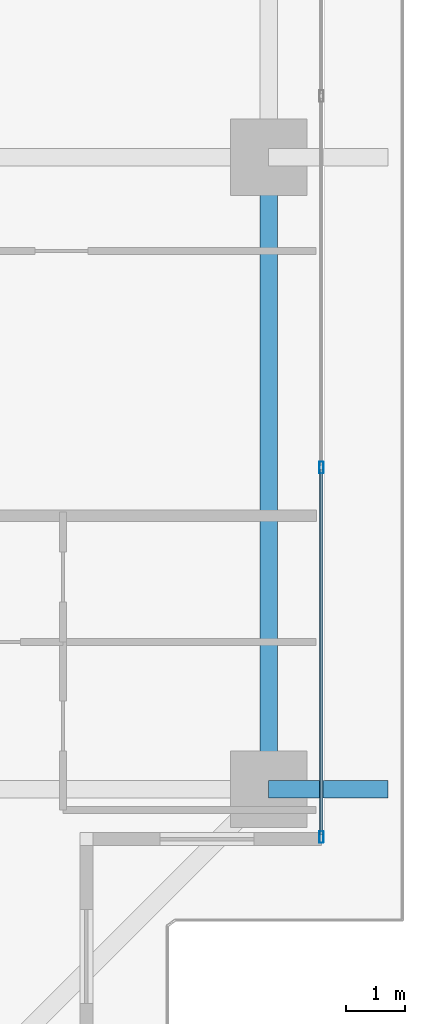
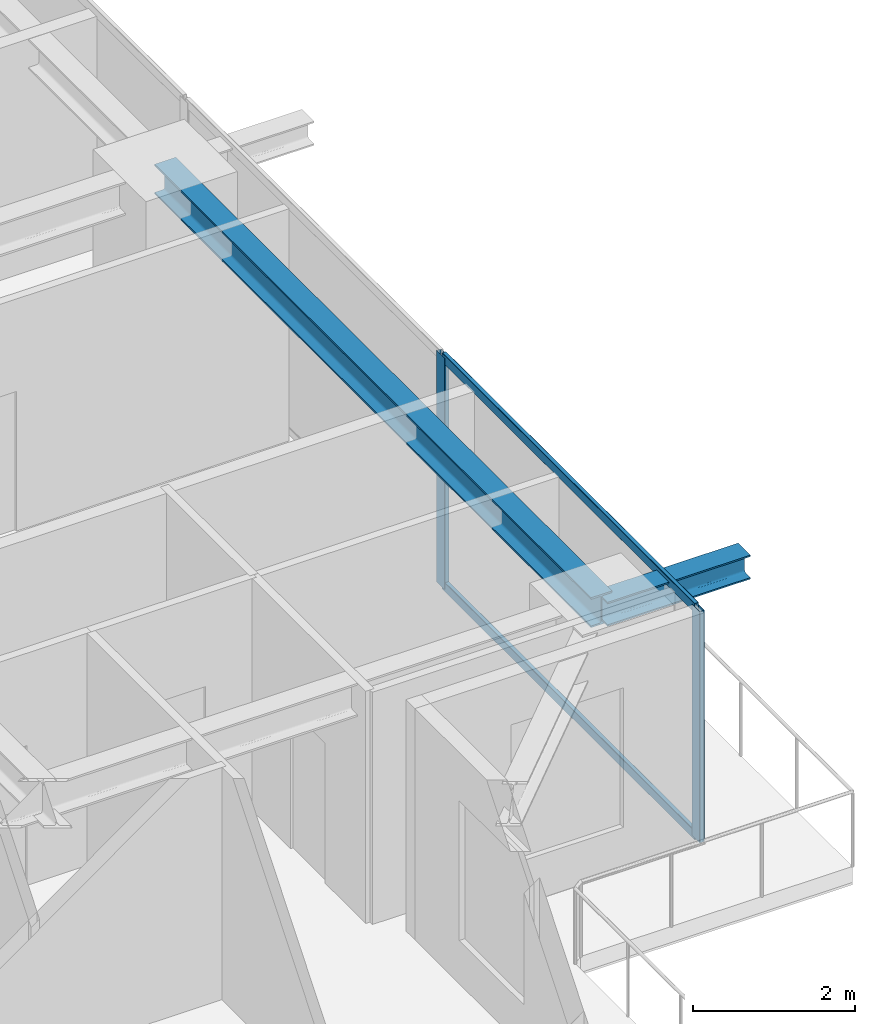
# One storey, part 13 of 39: 4 members, 2 beams, 1 element without a shape of its own.
"""IFC4 building model written with IfcOpenShell, lengths in metres."""

from ifc_helpers import new_model, si_unit, direction, frame, origin, origin_2d, place, context, subcontext, project, spatial, hollow_rectangle, i_section, extrude, source, transform, mapped, material, layer, layer_set, material_profile, profile_set, type_object, element, aggregate, save


model = new_model("IFC4")

# Units and contexts
model_context = context("Model", 3, precision=1e-05, world=origin(), true_north=direction((0.0, 1.0)))
body_context = subcontext(model_context, "Body", "Model", "MODEL_VIEW")
ifc_project = project(units=[si_unit("LENGTHUNIT", "METRE"), si_unit("AREAUNIT", "SQUARE_METRE"), si_unit("VOLUMEUNIT", "CUBIC_METRE"), si_unit("PLANEANGLEUNIT", "RADIAN"), si_unit("MASSUNIT", "GRAM", prefix="KILO")], contexts=[model_context])

# Site, building, storey
site_placement = place(None, origin())
site = spatial("IfcSite", under=ifc_project, at=site_placement, CompositionType="ELEMENT")
building_placement = place(site_placement, origin())
building = spatial("IfcBuilding", under=site, at=building_placement, Name="Serunith Strait Residences", CompositionType="ELEMENT")
storey_placement = place(building_placement, frame((0.0, 0.0, 123.89990234375)))
storey = spatial("IfcBuildingStorey", under=building, at=storey_placement, Name="L30", CompositionType="ELEMENT", Elevation=123.89990234375)

# Beams
ifc_material_1 = material(Name="Steel S355J2", Category="steel")
ifc_material_profile_1 = material_profile(ifc_material_1, i_section(OverallWidth=0.300048828125, OverallDepth=0.449951171875, WebThickness=0.013916015625, FlangeThickness=0.02587890625, FilletRadius=0.027099609375, at=origin_2d()), Name="HEB 450")
ifc_profile_set_1 = profile_set([ifc_material_profile_1], Name="Steel S355J2")
beam_type_1 = type_object("IfcBeamType", Name="BM-HEB450", PredefinedType="BEAM", material=ifc_profile_set_1)
shared_shape_1 = source(origin(), body_context, "Body", "SweptSolid", [
    extrude(i_section(OverallWidth=0.300048828125, OverallDepth=0.449951171875, WebThickness=0.013916015625, FlangeThickness=0.02587890625, FilletRadius=0.027099609375, at=origin_2d()), origin(), (0.0, 0.0, 1.0), 10.75),
])
beam_1_placement = place(storey_placement, frame((56.10009765625, 10.25, 3.26220703125), z_axis=(0.0, 1.0, 0.0), x_axis=(-1.0, 0.0, 0.0)))
element("IfcBeam", 1, at=beam_1_placement, inside=storey, type_object=beam_type_1, Name="L30 Perimeter Ring Beam 05", PredefinedType="BEAM", context=body_context, shape_type="MappedRepresentation", body=[
    mapped(shared_shape_1, transform((0.0, 0.0, 0.0), scale=1.0)),
])
ifc_material_profile_2 = material_profile(ifc_material_1, i_section(OverallWidth=0.300048828125, OverallDepth=0.360107421875, WebThickness=0.012451171875, FlangeThickness=0.0224609375, FilletRadius=0.027099609375, at=origin_2d()), Name="HEB 360")
ifc_profile_set_2 = profile_set([ifc_material_profile_2], Name="Steel S355J2")
beam_type_2 = type_object("IfcBeamType", Name="BM-HEB360", PredefinedType="BEAM", material=ifc_profile_set_2)
shared_shape_2 = source(origin(), body_context, "Body", "SweptSolid", [
    extrude(i_section(OverallWidth=0.300048828125, OverallDepth=0.360107421875, WebThickness=0.012451171875, FlangeThickness=0.0224609375, FilletRadius=0.027099609375, at=origin_2d()), origin(), (0.0, 0.0, 1.0), 2.02978515625),
])
beam_2_placement = place(storey_placement, frame((56.10009765625, 10.25, 3.277099609375), z_axis=(1.0, 0.0, 0.0), x_axis=(0.0, 1.0, 0.0)))
element("IfcBeam", 2, at=beam_2_placement, inside=storey, type_object=beam_type_2, Name="L31 Cantilevered Balcony Rib TC-E1", PredefinedType="BEAM", context=body_context, shape_type="MappedRepresentation", body=[
    mapped(shared_shape_2, transform((0.0, 0.0, 0.0), scale=1.0)),
])

# Curtain wall, members
ifc_material_2 = material(Name="Pale-Champagne Anodised Aluminium", Category="aluminium")
ifc_layer = layer(ifc_material_2, 0.199951171875, Name="Pale-Champagne Anodised Aluminium")
ifc_layer_set = layer_set([ifc_layer], Name="Pale-Champagne Anodised Aluminium")
curtain_wall_type = type_object("IfcCurtainWallType", Name="CW-SYS2", PredefinedType="NOTDEFINED", material=ifc_layer_set)
curtain_wall_placement = place(storey_placement, origin())
curtain_wall = element("IfcCurtainWall", 3, at=curtain_wall_placement, inside=storey, type_object=curtain_wall_type, Name="L30 E Unitised Fritted Curtain Wall", PredefinedType="NOTDEFINED")
ifc_material_profile_3 = material_profile(ifc_material_2, hollow_rectangle(XDim=0.070068359375, YDim=0.199951171875, WallThickness=0.00390625, InnerFilletRadius=0.006103515625, OuterFilletRadius=0.010009765625, at=origin_2d()), Name="ALU 200x70x4")
ifc_profile_set_3 = profile_set([ifc_material_profile_3], Name="Pale-Champagne Anodised Aluminium")
member_type_1 = type_object("IfcMemberType", Name="CW-SYS2-MULL", PredefinedType="MULLION", material=ifc_profile_set_3)
shared_shape_3 = source(origin(), body_context, "Body", "SweptSolid", [
    extrude(hollow_rectangle(XDim=0.070068359375, YDim=0.199951171875, WallThickness=0.00390625, InnerFilletRadius=0.006103515625, OuterFilletRadius=0.010009765625, at=origin_2d()), origin(), (0.0, 0.0, 1.0), 3.47509765625),
])
member_1_placement = place(storey_placement, frame((57.0, 9.43505859375, 0.0), z_axis=(0.0, 0.0, 1.0), x_axis=(-1.0, 0.0, 0.0)))
member_1 = element("IfcMember", 4, at=member_1_placement, type_object=member_type_1, Name="CW-2 mullion 1", PredefinedType="MULLION", context=body_context, shape_type="MappedRepresentation", body=[
    mapped(shared_shape_3, transform((0.0, 0.0, 0.0), scale=1.0)),
])
member_2_placement = place(storey_placement, frame((57.0, 15.719970703125, 0.0), z_axis=(0.0, 0.0, 1.0), x_axis=(-1.0, 0.0, 0.0)))
member_2 = element("IfcMember", 5, at=member_2_placement, type_object=member_type_1, Name="CW-2 mullion 2", PredefinedType="MULLION", context=body_context, shape_type="MappedRepresentation", body=[
    mapped(shared_shape_3, transform((0.0, 0.0, 0.0), scale=1.0)),
])
ifc_material_profile_4 = material_profile(ifc_material_2, hollow_rectangle(XDim=0.06005859375, YDim=0.139892578125, WallThickness=0.00341796875, InnerFilletRadius=0.00537109375, OuterFilletRadius=0.0087890625, at=origin_2d()), Name="ALU 140x60x3.5")
ifc_profile_set_4 = profile_set([ifc_material_profile_4], Name="Pale-Champagne Anodised Aluminium")
member_type_2 = type_object("IfcMemberType", Name="CW-SYS2-TRAN", PredefinedType="USERDEFINED", material=ifc_profile_set_4)
shared_shape_4 = source(origin(), body_context, "Body", "SweptSolid", [
    extrude(hollow_rectangle(XDim=0.06005859375, YDim=0.139892578125, WallThickness=0.00341796875, InnerFilletRadius=0.00537109375, OuterFilletRadius=0.0087890625, at=origin_2d()), origin(), (0.0, 0.0, 1.0), 6.215087890625),
])
member_3_placement = place(storey_placement, frame((57.0, 9.469970703125, 0.030029296875), z_axis=(0.0, 1.0, 0.0), x_axis=(-1.0, 0.0, 0.0)))
member_3 = element("IfcMember", 6, at=member_3_placement, type_object=member_type_2, Name="CW-2 transom 1.1", ObjectType="TRANSOM", PredefinedType="USERDEFINED", context=body_context, shape_type="MappedRepresentation", body=[
    mapped(shared_shape_4, transform((0.0, 0.0, 0.0), scale=1.0)),
])
member_4_placement = place(storey_placement, frame((57.0, 9.469970703125, 3.445068359375), z_axis=(0.0, 1.0, 0.0), x_axis=(-1.0, 0.0, 0.0)))
member_4 = element("IfcMember", 7, at=member_4_placement, type_object=member_type_2, Name="CW-2 transom 1.2", ObjectType="TRANSOM", PredefinedType="USERDEFINED", context=body_context, shape_type="MappedRepresentation", body=[
    mapped(shared_shape_4, transform((0.0, 0.0, 0.0), scale=1.0)),
])
aggregate(curtain_wall, [member_1, member_2, member_3, member_4])

save(model, "model.ifc")
